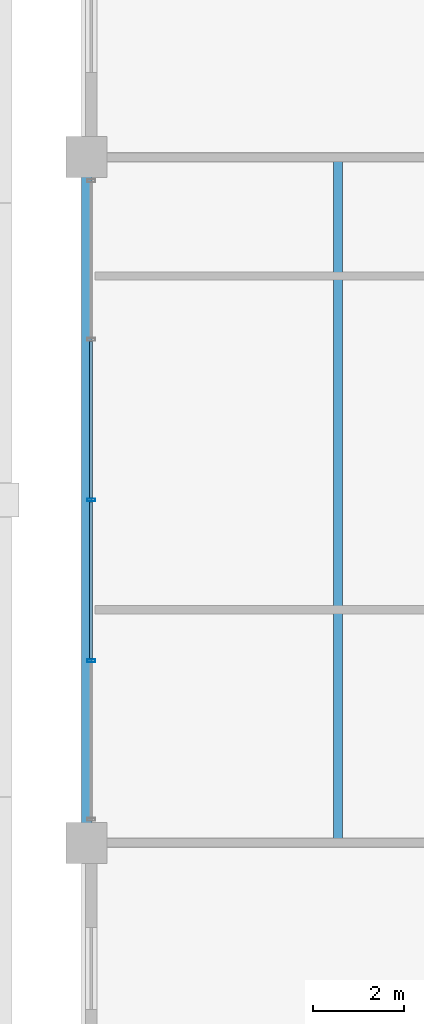
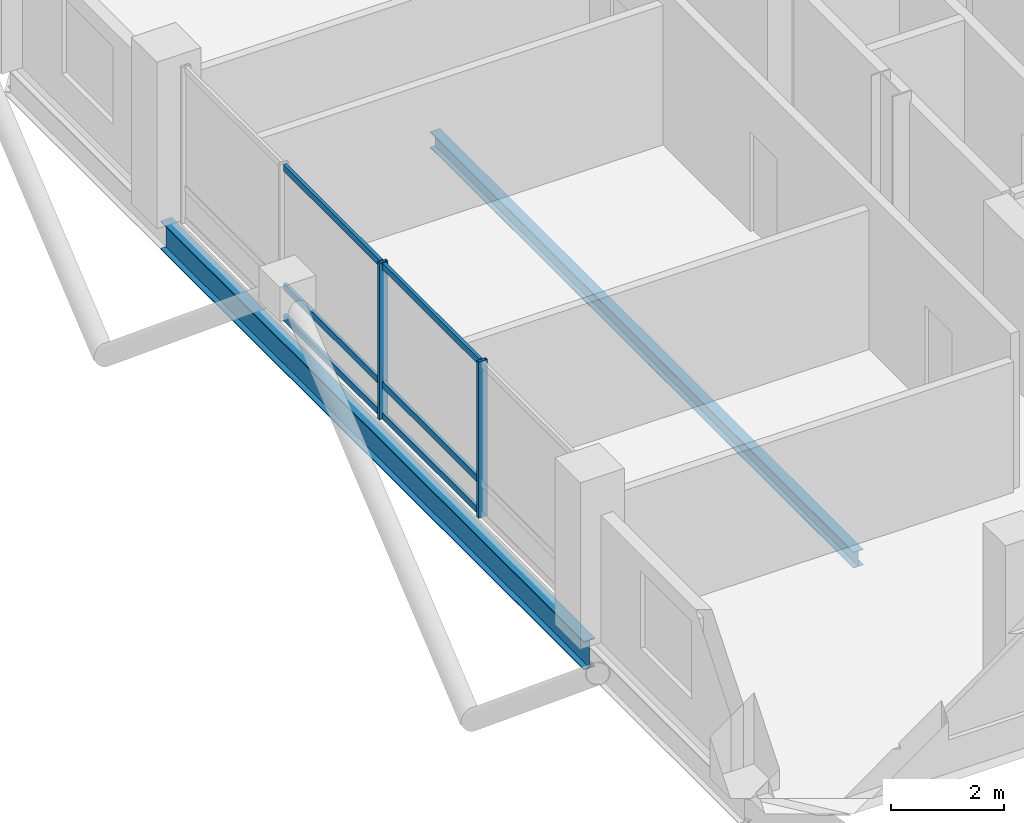
# One storey, part 7 of 23: 8 members, 2 beams, 1 element without a shape of its own.
"""IFC4 building model written with IfcOpenShell, lengths in metres."""

from ifc_helpers import new_model, si_unit, direction, frame, origin, origin_2d, place, context, subcontext, project, spatial, hollow_rectangle, i_section, extrude, material, layer, layer_set, material_profile, profile_set, type_object, element, aggregate, save


model = new_model("IFC4")

# Units and contexts
model_context = context("Model", 3, precision=1e-05, world=origin(), true_north=direction((0.0, 1.0)))
body_context = subcontext(model_context, "Body", "Model", "MODEL_VIEW")
ifc_project = project(units=[si_unit("LENGTHUNIT", "METRE"), si_unit("AREAUNIT", "SQUARE_METRE"), si_unit("VOLUMEUNIT", "CUBIC_METRE"), si_unit("PLANEANGLEUNIT", "RADIAN"), si_unit("MASSUNIT", "GRAM", prefix="KILO")], contexts=[model_context])

# Site, building, storey
site_placement = place(None, origin())
site = spatial("IfcSite", under=ifc_project, at=site_placement, CompositionType="ELEMENT")
building_placement = place(site_placement, origin())
building = spatial("IfcBuilding", under=site, at=building_placement, Name="Barlavira Tower and Art Museum", CompositionType="ELEMENT")
storey_placement = place(building_placement, frame((0.0, 0.0, 236.699951171875)))
storey = spatial("IfcBuildingStorey", under=building, at=storey_placement, Name="L61", CompositionType="ELEMENT", Elevation=236.699951171875)

# Curtain wall, members
ifc_material_1 = material(Name="Low-iron coastal laminated glass", Category="glass")
ifc_layer = layer(ifc_material_1, 0.2099609375, Name="Low-iron coastal laminated glass")
ifc_layer_set = layer_set([ifc_layer], Name="Low-iron coastal laminated glass")
curtain_wall_type = type_object("IfcCurtainWallType", Name="Pale-Metal Unitised Curtain Wall Zone 4", PredefinedType="NOTDEFINED", material=ifc_layer_set)
curtain_wall_placement = place(storey_placement, origin())
curtain_wall = element("IfcCurtainWall", 1, at=curtain_wall_placement, inside=storey, type_object=curtain_wall_type, Name="L61 Curtain Wall CW4-L61-W-B3", PredefinedType="NOTDEFINED")
ifc_material_2 = material(Name="Pale anodised aluminium", Category="aluminium")
ifc_material_profile_1 = material_profile(ifc_material_2, hollow_rectangle(XDim=0.06494140625, YDim=0.179931640625, WallThickness=0.00390625, at=origin_2d()), Name="ALU-MULL 65x180x4")
ifc_profile_set_1 = profile_set([ifc_material_profile_1], Name="Pale anodised aluminium")
member_type_1 = type_object("IfcMemberType", Name="Curtain Wall Pale-Metal Mullion 65x180", PredefinedType="MULLION", material=ifc_profile_set_1)
member_1_placement = place(storey_placement, frame((-16.89990234375, 0.0, 0.0), z_axis=(0.0, 0.0, 1.0), x_axis=(0.0, -1.0, 0.0)))
member_1 = element("IfcMember", 2, at=member_1_placement, type_object=member_type_1, Name="CW4-L61-W-B3 Mullion 2", PredefinedType="MULLION", context=body_context, shape_type="SweptSolid", body=[
    extrude(hollow_rectangle(XDim=0.06494140625, YDim=0.179931640625, WallThickness=0.00390625, at=origin_2d()), origin(), (0.0, 0.0, 1.0), 3.380126953125),
])
member_2_placement = place(storey_placement, frame((-16.89990234375, -3.514892578125, 0.0), z_axis=(0.0, 0.0, 1.0), x_axis=(0.0, -1.0, 0.0)))
member_2 = element("IfcMember", 3, at=member_2_placement, type_object=member_type_1, Name="CW4-L61-W-B3 Mullion 3", PredefinedType="MULLION", context=body_context, shape_type="SweptSolid", body=[
    extrude(hollow_rectangle(XDim=0.06494140625, YDim=0.179931640625, WallThickness=0.00390625, at=origin_2d()), origin(), (0.0, 0.0, 1.0), 3.380126953125),
])
ifc_material_profile_2 = material_profile(ifc_material_2, hollow_rectangle(XDim=0.06494140625, YDim=0.139892578125, WallThickness=0.00390625, at=origin_2d()), Name="ALU-TRAN 65x140x4")
ifc_profile_set_2 = profile_set([ifc_material_profile_2], Name="Pale anodised aluminium")
member_type_2 = type_object("IfcMemberType", Name="Curtain Wall Pale-Metal Transom 65x140", PredefinedType="USERDEFINED", material=ifc_profile_set_2)
member_3_placement = place(storey_placement, frame((-16.89990234375, 3.469970703125, 0.070068359375), z_axis=(0.0, -1.0, 0.0), x_axis=(1.0, 0.0, 0.0)))
member_3 = element("IfcMember", 4, at=member_3_placement, type_object=member_type_2, Name="CW4-L61-W-B3 Transom 1.1", ObjectType="TRANSOM", PredefinedType="USERDEFINED", context=body_context, shape_type="SweptSolid", body=[
    extrude(hollow_rectangle(XDim=0.06494140625, YDim=0.139892578125, WallThickness=0.00390625, at=origin_2d()), origin(), (0.0, 0.0, 1.0), 3.425048828125),
])
member_4_placement = place(storey_placement, frame((-16.89990234375, 3.469970703125, 0.744140625), z_axis=(0.0, -1.0, 0.0), x_axis=(1.0, 0.0, 0.0)))
member_4 = element("IfcMember", 5, at=member_4_placement, type_object=member_type_2, Name="CW4-L61-W-B3 Transom 1.2", ObjectType="TRANSOM", PredefinedType="USERDEFINED", context=body_context, shape_type="SweptSolid", body=[
    extrude(hollow_rectangle(XDim=0.06494140625, YDim=0.139892578125, WallThickness=0.00390625, at=origin_2d()), origin(), (0.0, 0.0, 1.0), 3.425048828125),
])
member_5_placement = place(storey_placement, frame((-16.89990234375, 3.469970703125, 3.31005859375), z_axis=(0.0, -1.0, 0.0), x_axis=(1.0, 0.0, 0.0)))
member_5 = element("IfcMember", 6, at=member_5_placement, type_object=member_type_2, Name="CW4-L61-W-B3 Transom 1.3", ObjectType="TRANSOM", PredefinedType="USERDEFINED", context=body_context, shape_type="SweptSolid", body=[
    extrude(hollow_rectangle(XDim=0.06494140625, YDim=0.139892578125, WallThickness=0.00390625, at=origin_2d()), origin(), (0.0, 0.0, 1.0), 3.425048828125),
])
member_6_placement = place(storey_placement, frame((-16.89990234375, -0.044921875, 0.070068359375), z_axis=(0.0, -1.0, 0.0), x_axis=(1.0, 0.0, 0.0)))
member_6 = element("IfcMember", 7, at=member_6_placement, type_object=member_type_2, Name="CW4-L61-W-B3 Transom 2.1", ObjectType="TRANSOM", PredefinedType="USERDEFINED", context=body_context, shape_type="SweptSolid", body=[
    extrude(hollow_rectangle(XDim=0.06494140625, YDim=0.139892578125, WallThickness=0.00390625, at=origin_2d()), origin(), (0.0, 0.0, 1.0), 3.425048828125),
])
member_7_placement = place(storey_placement, frame((-16.89990234375, -0.044921875, 0.744140625), z_axis=(0.0, -1.0, 0.0), x_axis=(1.0, 0.0, 0.0)))
member_7 = element("IfcMember", 8, at=member_7_placement, type_object=member_type_2, Name="CW4-L61-W-B3 Transom 2.2", ObjectType="TRANSOM", PredefinedType="USERDEFINED", context=body_context, shape_type="SweptSolid", body=[
    extrude(hollow_rectangle(XDim=0.06494140625, YDim=0.139892578125, WallThickness=0.00390625, at=origin_2d()), origin(), (0.0, 0.0, 1.0), 3.425048828125),
])
member_8_placement = place(storey_placement, frame((-16.89990234375, -0.044921875, 3.31005859375), z_axis=(0.0, -1.0, 0.0), x_axis=(1.0, 0.0, 0.0)))
member_8 = element("IfcMember", 9, at=member_8_placement, type_object=member_type_2, Name="CW4-L61-W-B3 Transom 2.3", ObjectType="TRANSOM", PredefinedType="USERDEFINED", context=body_context, shape_type="SweptSolid", body=[
    extrude(hollow_rectangle(XDim=0.06494140625, YDim=0.139892578125, WallThickness=0.00390625, at=origin_2d()), origin(), (0.0, 0.0, 1.0), 3.425048828125),
])
aggregate(curtain_wall, [member_1, member_2, member_3, member_4, member_5, member_6, member_7, member_8])

# Beams
ifc_material_3 = material(Name="Steel S355", Category="steel")
ifc_material_profile_3 = material_profile(ifc_material_3, i_section(OverallWidth=0.22998046875, OverallDepth=0.616943359375, WebThickness=0.01318359375, FlangeThickness=0.022216796875, at=origin_2d()), Name="W610x140.0")
ifc_profile_set_3 = profile_set([ifc_material_profile_3], Name="Steel S355")
beam_type_1 = type_object("IfcBeamType", Name="Upper Shaft Spandrel Edge Beam W610x140 Steel S355", PredefinedType="SPANDREL", material=ifc_profile_set_3)
beam_1_placement = place(storey_placement, frame((-17.0, -7.5, -0.528564453125), z_axis=(0.0, 1.0, 0.0), x_axis=(-1.0, 0.0, 0.0)))
element("IfcBeam", 10, at=beam_1_placement, inside=storey, type_object=beam_type_1, Name="L61 Spandrel 14", PredefinedType="SPANDREL", context=body_context, shape_type="SweptSolid", body=[
    extrude(i_section(OverallWidth=0.22998046875, OverallDepth=0.616943359375, WebThickness=0.01318359375, FlangeThickness=0.022216796875, at=origin_2d()), origin(), (0.0, 0.0, 1.0), 15.0),
])
ifc_material_profile_4 = material_profile(ifc_material_3, i_section(OverallWidth=0.202880859375, OverallDepth=0.346923828125, WebThickness=0.0078125, FlangeThickness=0.013427734375, at=origin_2d()), Name="W360x64.0")
ifc_profile_set_4 = profile_set([ifc_material_profile_4], Name="Steel S355")
beam_type_2 = type_object("IfcBeamType", Name="Zone 4 Composite Floor Joist W360x64 Steel S355", PredefinedType="JOIST", material=ifc_profile_set_4)
beam_2_placement = place(storey_placement, frame((-11.5, -7.5, -0.3935546875), z_axis=(0.0, 1.0, 0.0), x_axis=(-1.0, 0.0, 0.0)))
element("IfcBeam", 11, at=beam_2_placement, inside=storey, type_object=beam_type_2, Name="L61 Joist W1", PredefinedType="JOIST", context=body_context, shape_type="SweptSolid", body=[
    extrude(i_section(OverallWidth=0.202880859375, OverallDepth=0.346923828125, WebThickness=0.0078125, FlangeThickness=0.013427734375, at=origin_2d()), origin(), (0.0, 0.0, 1.0), 15.0),
])

save(model, "model.ifc")
